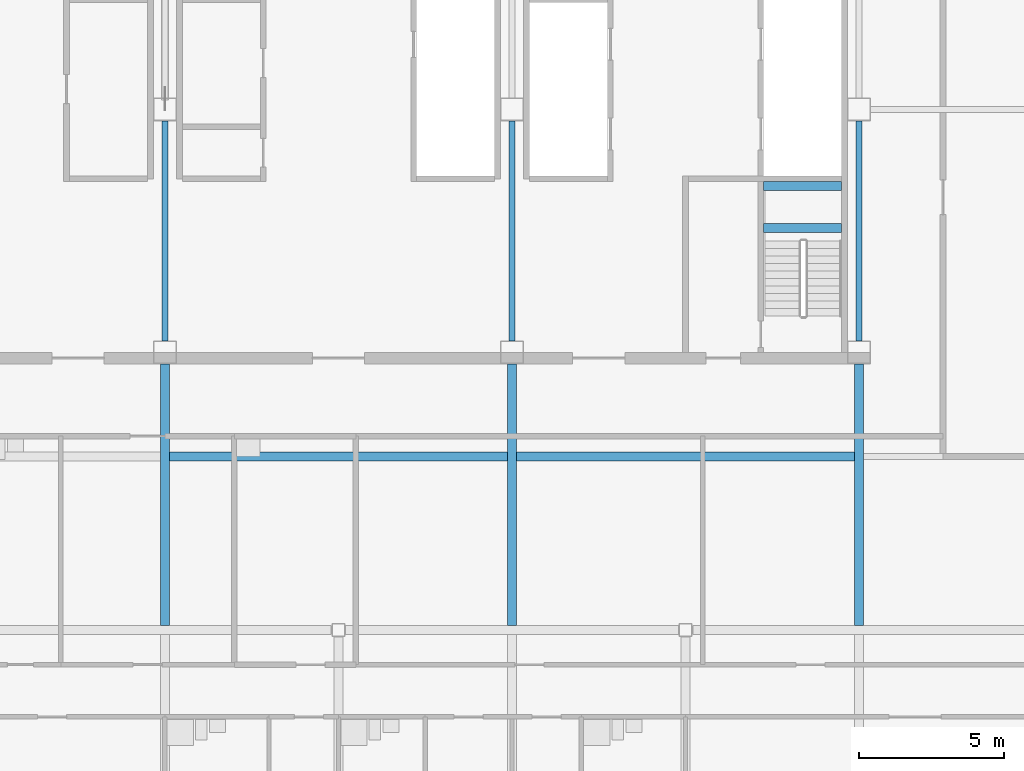
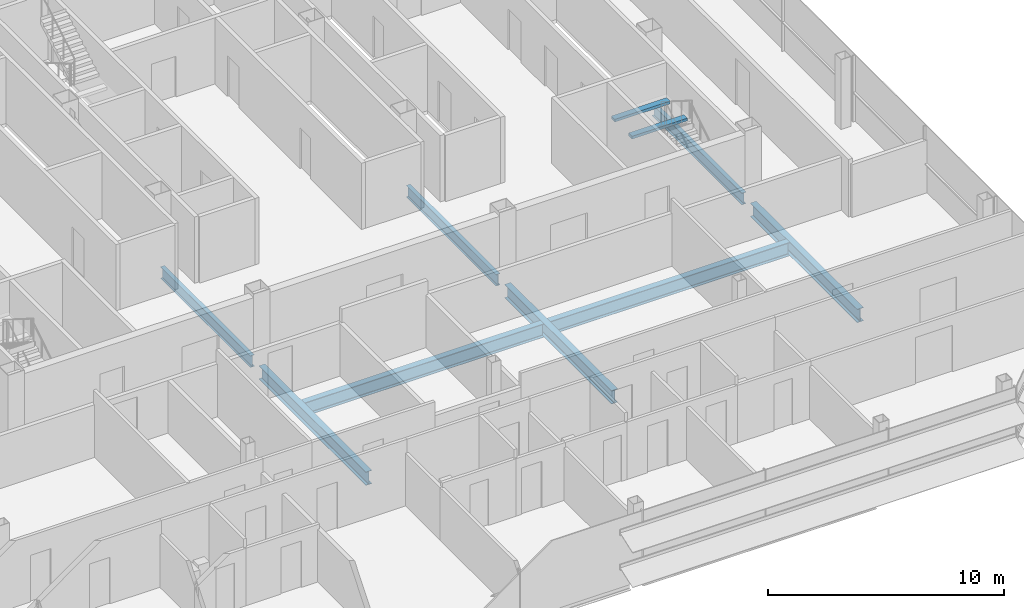
# One storey, part 12 of 28: 10 beams.
"""IFC4 building model written with IfcOpenShell, lengths in metres."""

from ifc_helpers import new_model, si_unit, direction, frame, origin, origin_2d, place, context, subcontext, project, spatial, rectangle, i_section, extrude, material, material_profile, profile_set, type_object, element, save


model = new_model("IFC4")

# Units and contexts
model_context = context("Model", 3, precision=1e-05, world=origin(), true_north=direction((0.0, 1.0)))
body_context = subcontext(model_context, "Body", "Model", "MODEL_VIEW")
ifc_project = project(units=[si_unit("LENGTHUNIT", "METRE"), si_unit("AREAUNIT", "SQUARE_METRE"), si_unit("VOLUMEUNIT", "CUBIC_METRE"), si_unit("PLANEANGLEUNIT", "RADIAN"), si_unit("MASSUNIT", "GRAM", prefix="KILO")], contexts=[model_context])

# Site, building, storey
site_placement = place(None, origin())
site = spatial("IfcSite", under=ifc_project, at=site_placement, CompositionType="ELEMENT")
building_placement = place(site_placement, origin())
building = spatial("IfcBuilding", under=site, at=building_placement, Name="Sorahane Residences", CompositionType="ELEMENT")
storey_placement = place(building_placement, frame((0.0, 0.0, 301.60009765625)))
storey = spatial("IfcBuildingStorey", under=building, at=storey_placement, Name="L71", CompositionType="ELEMENT", Elevation=301.60009765625)

# Beams
ifc_material_1 = material(Name="Concrete C40", Category="concrete")
ifc_material_profile_1 = material_profile(ifc_material_1, rectangle(XDim=0.300048828125, YDim=0.139892578125, at=origin_2d()), Name="300x140")
ifc_profile_set_1 = profile_set([ifc_material_profile_1], Name="Concrete C40")
beam_type_1 = type_object("IfcBeamType", Name="RC landing beam 300 x 140 Concrete C40", PredefinedType="BEAM", material=ifc_profile_set_1)
for number, where, z_axis, x_axis, name in (
    (1, (38.699951171875, 25.89990234375, 1.52978515625), (1.0, 0.0, 0.0), (0.0, 1.0, 0.0), "Landing beam"),
    (2, (38.699951171875, 27.35009765625, 1.52978515625), (1.0, 0.0, 0.0), (0.0, 1.0, 0.0), "Landing beam"),
):
    element("IfcBeam", number, at=place(storey_placement, frame(where, z_axis=z_axis, x_axis=x_axis)), inside=storey, type_object=beam_type_1, Name=name, PredefinedType="BEAM", context=body_context, shape_type="SweptSolid", body=[
        extrude(rectangle(XDim=0.300048828125, YDim=0.139892578125, at=origin_2d()), origin(), (0.0, 0.0, 1.0), 2.699951171875),
    ])
ifc_material_2 = material(Name="Steel Q355B", Category="steel")
ifc_material_profile_2 = material_profile(ifc_material_2, i_section(OverallWidth=0.199951171875, OverallDepth=0.60009765625, WebThickness=0.010986328125, FlangeThickness=0.01708984375, FilletRadius=0.02392578125, at=origin_2d()), Name="HN 600x200x11x17")
ifc_profile_set_2 = profile_set([ifc_material_profile_2], Name="Steel Q355B")
beam_type_2 = type_object("IfcBeamType", Name="Steel floor beam HN 600x200x11x17 Q355B", PredefinedType="BEAM", material=ifc_profile_set_2)
for number, where, z_axis, x_axis, name in (
    (3, (18.0, 22.0, -0.47998046875), (0.0, 1.0, 0.0), (-1.0, 0.0, 0.0), "Beam L71 042"),
    (4, (30.0, 22.0, -0.47998046875), (0.0, 1.0, 0.0), (-1.0, 0.0, 0.0), "Beam L71 050"),
    (5, (42.0, 22.0, -0.47998046875), (0.0, 1.0, 0.0), (-1.0, 0.0, 0.0), "Beam L71 058"),
):
    element("IfcBeam", number, at=place(storey_placement, frame(where, z_axis=z_axis, x_axis=x_axis)), inside=storey, type_object=beam_type_2, Name=name, PredefinedType="BEAM", context=body_context, shape_type="SweptSolid", body=[
        extrude(i_section(OverallWidth=0.199951171875, OverallDepth=0.60009765625, WebThickness=0.010986328125, FlangeThickness=0.01708984375, FilletRadius=0.02392578125, at=origin_2d()), origin(), (0.0, 0.0, 1.0), 7.60009765625),
    ])
ifc_material_3 = material(Name="Steel Q355B", Category="steel")
ifc_material_profile_3 = material_profile(ifc_material_3, i_section(OverallWidth=0.300048828125, OverallDepth=0.699951171875, WebThickness=0.012939453125, FlangeThickness=0.02392578125, FilletRadius=0.028076171875, at=origin_2d()), Name="HN 700x300x13x24")
ifc_profile_set_3 = profile_set([ifc_material_profile_3], Name="Steel Q355B")
beam_type_3 = type_object("IfcBeamType", Name="Steel floor beam HN 700x300x13x24 Q355B", PredefinedType="BEAM", material=ifc_profile_set_3)
for number, where, z_axis, x_axis, name in (
    (6, (18.0, 12.14990234375, -0.530029296875), (0.0, 1.0, 0.0), (-1.0, 0.0, 0.0), "Beam L71 041"),
    (7, (30.0, 12.14990234375, -0.530029296875), (0.0, 1.0, 0.0), (-1.0, 0.0, 0.0), "Beam L71 049"),
    (8, (42.0, 12.14990234375, -0.530029296875), (0.0, 1.0, 0.0), (-1.0, 0.0, 0.0), "Beam L71 057"),
):
    element("IfcBeam", number, at=place(storey_placement, frame(where, z_axis=z_axis, x_axis=x_axis)), inside=storey, type_object=beam_type_3, Name=name, PredefinedType="BEAM", context=body_context, shape_type="SweptSolid", body=[
        extrude(i_section(OverallWidth=0.300048828125, OverallDepth=0.699951171875, WebThickness=0.012939453125, FlangeThickness=0.02392578125, FilletRadius=0.028076171875, at=origin_2d()), origin(), (0.0, 0.0, 1.0), 9.050048828125),
    ])
for number, where, z_axis, x_axis, name in (
    (9, (18.14990234375, 18.0, -0.530029296875), (1.0, 0.0, 0.0), (0.0, 1.0, 0.0), "Beam L71 080"),
    (10, (30.14990234375, 18.0, -0.530029296875), (1.0, 0.0, 0.0), (0.0, 1.0, 0.0), "Beam L71 081"),
):
    element("IfcBeam", number, at=place(storey_placement, frame(where, z_axis=z_axis, x_axis=x_axis)), inside=storey, type_object=beam_type_3, Name=name, PredefinedType="BEAM", context=body_context, shape_type="SweptSolid", body=[
        extrude(i_section(OverallWidth=0.300048828125, OverallDepth=0.699951171875, WebThickness=0.012939453125, FlangeThickness=0.02392578125, FilletRadius=0.028076171875, at=origin_2d()), origin(), (0.0, 0.0, 1.0), 11.7001953125),
    ])

save(model, "model.ifc")
